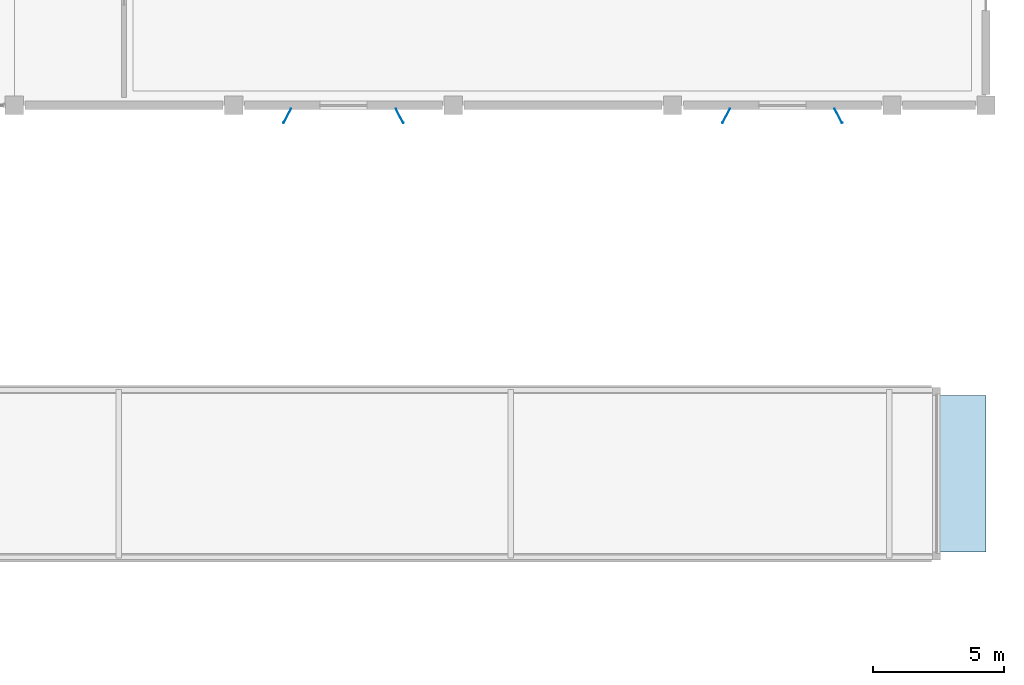
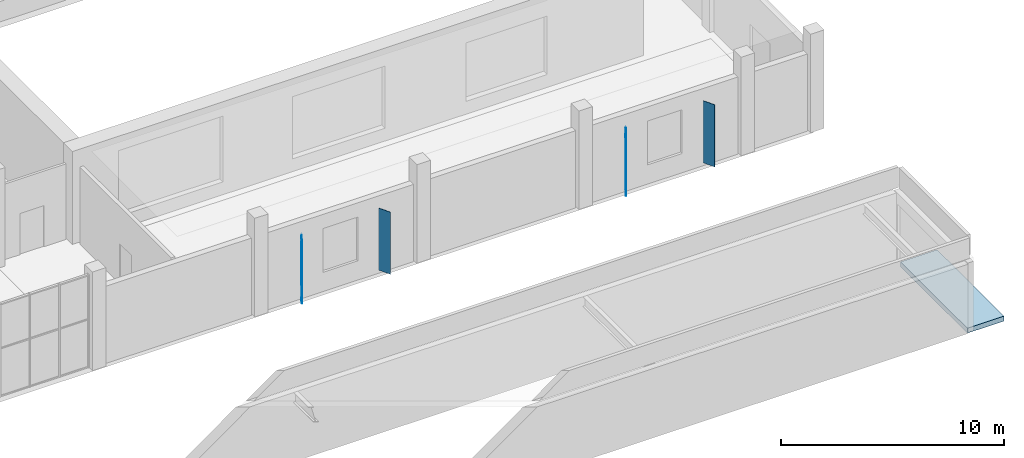
# One storey, part 73 of 91: 4 plates, 1 slab.
"""IFC4 building model written with IfcOpenShell, lengths in metres."""

from ifc_helpers import new_model, si_unit, direction, frame, origin, origin_2d, place, context, subcontext, project, spatial, polyline, rectangle, outline, extrude, material, layer, layer_set, type_object, element, save


model = new_model("IFC4")

# Units and contexts
model_context = context("Model", 3, precision=1e-05, world=origin(), true_north=direction((0.0, 1.0)))
body_context = subcontext(model_context, "Body", "Model", "MODEL_VIEW")
ifc_project = project(units=[si_unit("LENGTHUNIT", "METRE"), si_unit("AREAUNIT", "SQUARE_METRE"), si_unit("VOLUMEUNIT", "CUBIC_METRE"), si_unit("PLANEANGLEUNIT", "RADIAN"), si_unit("MASSUNIT", "GRAM", prefix="KILO")], contexts=[model_context])

# Site, building, storey
site_placement = place(None, origin())
site = spatial("IfcSite", under=ifc_project, at=site_placement, CompositionType="ELEMENT")
building_placement = place(site_placement, origin())
building = spatial("IfcBuilding", under=site, at=building_placement, Name="Khurvash Pelagic Aquarium", CompositionType="ELEMENT")
storey_placement = place(building_placement, origin())
storey = spatial("IfcBuildingStorey", under=building, at=storey_placement, Name="L00", CompositionType="ELEMENT", Elevation=0.0)

# Plates
ifc_material_1 = material(Name="Anodised aluminium AW-5005", Category="aluminium")
ifc_layer_1 = layer(ifc_material_1, 0.02392578125)
ifc_layer_set_1 = layer_set([ifc_layer_1], Name="Anodised aluminium AW-5005")
plate_type = type_object("IfcPlateType", Name="SP-01", PredefinedType="SHEET", material=ifc_layer_set_1)
for number, where, z_axis, x_axis, name in (
    (1, (136.449951171875, 20.2919921875, 0.150146484375), (0.0, 0.0, 1.0), (-0.469471562786, -0.882947592859, 0.0), "L00 Parametric Folded Aluminium Solar Screen Fin SP-01 0117"),
    (2, (140.75, 20.2919921875, 0.150146484375), (0.0, 0.0, 1.0), (0.469471562786, -0.882947592859, 0.0), "L00 Parametric Folded Aluminium Solar Screen Fin SP-01 0118"),
    (3, (153.25, 20.2919921875, 0.150146484375), (0.0, 0.0, 1.0), (-0.469471562786, -0.882947592859, 0.0), "L00 Parametric Folded Aluminium Solar Screen Fin SP-01 0119"),
    (4, (157.550048828125, 20.2919921875, 0.150146484375), (0.0, 0.0, 1.0), (0.469471562786, -0.882947592859, 0.0), "L00 Parametric Folded Aluminium Solar Screen Fin SP-01 0120"),
):
    element("IfcPlate", number, at=place(storey_placement, frame(where, z_axis=z_axis, x_axis=x_axis)), inside=storey, type_object=plate_type, Name=name, PredefinedType="SHEET", context=body_context, shape_type="SweptSolid", body=[
        extrude(rectangle(XDim=0.6201171875, YDim=0.02392578125, at=origin_2d()), origin(), (0.0, 0.0, 1.0), 3.39990234375),
    ])

# Slab
ifc_material_2 = material(Name="Concrete C40/50", Category="concrete")
ifc_layer_2 = layer(ifc_material_2, 0.27001953125)
ifc_layer_set_2 = layer_set([ifc_layer_2], Name="Concrete C40/50")
slab_type = type_object("IfcSlabType", Name="TR-270", PredefinedType="FLOOR", material=ifc_layer_set_2)
slab_placement = place(storey_placement, frame((0.0, 0.0, -0.27001953125)))
element("IfcSlab", 5, at=slab_placement, inside=storey, type_object=slab_type, Name="L00 Vehicle Ramp Arrival Apron Slab TR-270", PredefinedType="FLOOR", context=body_context, shape_type="SweptSolid", body=[
    extrude(outline(polyline([(161.300048828125, 3.60009765625), (163.199951171875, 3.60009765625), (163.199951171875, 9.60009765625), (161.300048828125, 9.60009765625), (161.300048828125, 3.60009765625)])), origin(), (0.0, 0.0, 1.0), 0.27001953125),
])

save(model, "model.ifc")
